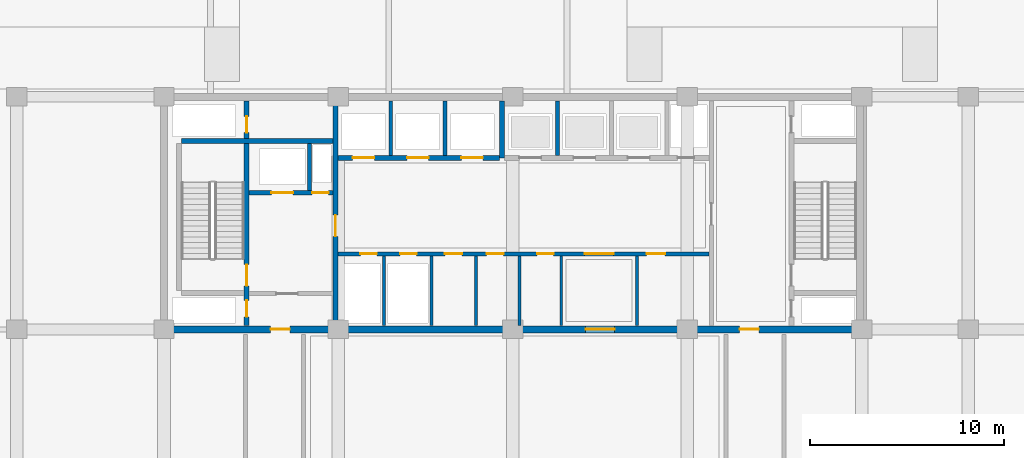
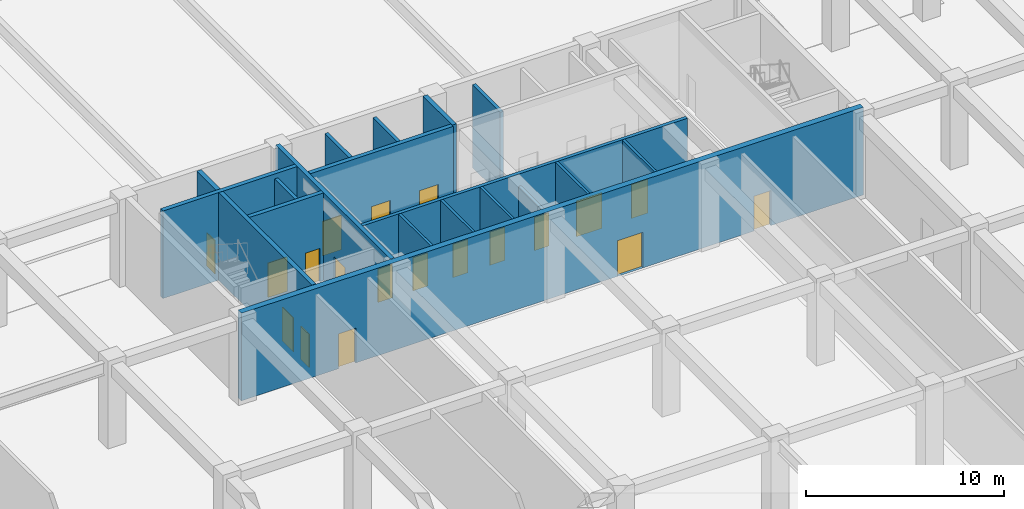
# One storey, part 21 of 46: 19 doors, 18 walls, 19 openings.
"""IFC4 building model written with IfcOpenShell, lengths in metres."""

from ifc_helpers import new_model, si_unit, direction, frame, frame_2d, origin, place, context, subcontext, project, spatial, rectangle, extrude, material, layer, layer_set, type_object, element, fill, save


model = new_model("IFC4")

# Units and contexts
model_context = context("Model", 3, precision=1e-05, world=origin(), true_north=direction((0.0, 1.0)))
body_context = subcontext(model_context, "Body", "Model", "MODEL_VIEW")
ifc_project = project(units=[si_unit("LENGTHUNIT", "METRE"), si_unit("AREAUNIT", "SQUARE_METRE"), si_unit("VOLUMEUNIT", "CUBIC_METRE"), si_unit("PLANEANGLEUNIT", "RADIAN"), si_unit("MASSUNIT", "GRAM", prefix="KILO")], contexts=[model_context])

# Site, building, storey
site_placement = place(None, origin())
site = spatial("IfcSite", under=ifc_project, at=site_placement, CompositionType="ELEMENT")
building_placement = place(site_placement, origin())
building = spatial("IfcBuilding", under=site, at=building_placement, Name="Korimba Cascade Residences", CompositionType="ELEMENT")
storey_placement = place(building_placement, origin())
storey = spatial("IfcBuildingStorey", under=building, at=storey_placement, Name="L00", CompositionType="ELEMENT", Elevation=0.0)

# Wall, openings, doors
ifc_material_1 = material(Name="Concrete C65/80", Category="concrete")
ifc_layer_1 = layer(ifc_material_1, 0.35009765625)
ifc_layer_set_1 = layer_set([ifc_layer_1], Name="Concrete C65/80")
wall_type_1 = type_object("IfcWallType", Name="WAL-CORE-350", PredefinedType="SHEAR", material=ifc_layer_set_1)
wall_1_placement = place(storey_placement, frame((81.925048828125, 18.39990234375, 0.0), z_axis=(0.0, 0.0, 1.0), x_axis=(1.0, 0.0, 0.0)))
wall_1 = element("IfcWall", 1, at=wall_1_placement, inside=storey, type_object=wall_type_1, Name="L00 Core Shear Wall CW-L00-T2-S", PredefinedType="SHEAR", context=body_context, shape_type="SweptSolid", body=[
    extrude(rectangle(XDim=36.264892578125, YDim=0.35009765625, at=frame_2d((18.13232421875, 0.0))), origin(), (0.0, 0.0, 1.0), 5.39990234375),
])
opening_1_placement = place(wall_1_placement, frame((5.675048828125, 0.0, 0.0)))
opening_1 = element("IfcOpeningElement", 2, at=opening_1_placement, cuts=wall_1, Name="Opening D-FD5", PredefinedType="OPENING", context=body_context, shape_type="SweptSolid", body=[
    extrude(rectangle(XDim=1.0, YDim=2.14990234375, at=frame_2d((0.5, 1.074951171875))), frame((0.0, 0.18505859375, 0.0), z_axis=(0.0, -1.0, 0.0), x_axis=(1.0, 0.0, 0.0)), (0.0, 0.0, 1.0), 0.3701171875),
])
opening_2_placement = place(wall_1_placement, frame((21.925048828125, 0.0, 0.0)))
opening_2 = element("IfcOpeningElement", 3, at=opening_2_placement, cuts=wall_1, Name="Opening D-FD8", PredefinedType="OPENING", context=body_context, shape_type="SweptSolid", body=[
    extrude(rectangle(XDim=1.5, YDim=2.199951171875, at=frame_2d((0.75, 1.10009765625))), frame((0.0, 0.18505859375, 0.0), z_axis=(0.0, -1.0, 0.0), x_axis=(1.0, 0.0, 0.0)), (0.0, 0.0, 1.0), 0.3701171875),
])
opening_3_placement = place(wall_1_placement, frame((29.875, 0.0, 0.0)))
opening_3 = element("IfcOpeningElement", 4, at=opening_3_placement, cuts=wall_1, Name="Opening D-FD5", PredefinedType="OPENING", context=body_context, shape_type="SweptSolid", body=[
    extrude(rectangle(XDim=1.0, YDim=2.14990234375, at=frame_2d((0.5, 1.074951171875))), frame((0.0, 0.18505859375, 0.0), z_axis=(0.0, -1.0, 0.0), x_axis=(1.0, 0.0, 0.0)), (0.0, 0.0, 1.0), 0.3701171875),
])
ifc_material_2 = material(Name="Fire-Rated Acoustic Timber Vestibule Door", Category="wood")
door_type_1 = type_object("IfcDoorType", Name="DR-FD90-1000", OperationType="NOTDEFINED", PredefinedType="DOOR", material=ifc_material_2)
door_1_placement = place(opening_1_placement, origin())
door_1 = element("IfcDoor", 5, at=door_1_placement, inside=storey, type_object=door_type_1, Name="L00 T2 West Core Vestibule Fire Door", OperationType="SINGLE_SWING_RIGHT", OverallHeight=2.14990234375, OverallWidth=1.0, PredefinedType="DOOR", context=body_context, shape_type="SweptSolid", body=[
    extrude(rectangle(XDim=1.0, YDim=2.14990234375, at=frame_2d((0.5, 1.074951171875))), frame((0.0, 0.02490234375, 0.0), z_axis=(0.0, -1.0, 0.0), x_axis=(1.0, 0.0, 0.0)), (0.0, 0.0, 1.0), 0.050048828125),
])
fill(opening_1, door_1)
door_2_placement = place(opening_3_placement, origin())
door_2 = element("IfcDoor", 6, at=door_2_placement, inside=storey, type_object=door_type_1, Name="L00 T2 East Stair Vestibule Fire Door", OperationType="SINGLE_SWING_LEFT", OverallHeight=2.14990234375, OverallWidth=1.0, PredefinedType="DOOR", context=body_context, shape_type="SweptSolid", body=[
    extrude(rectangle(XDim=1.0, YDim=2.14990234375, at=frame_2d((0.5, 1.074951171875))), frame((0.0, 0.02490234375, 0.0), z_axis=(0.0, -1.0, 0.0), x_axis=(1.0, 0.0, 0.0)), (0.0, 0.0, 1.0), 0.050048828125),
])
fill(opening_3, door_2)
ifc_material_3 = material(Name="Fire-Rated Glazed Lift Lobby Double Door", Category="glass")
door_type_2 = type_object("IfcDoorType", Name="DR-FD90-1500", OperationType="NOTDEFINED", PredefinedType="DOOR", material=ifc_material_3)
door_3_placement = place(opening_2_placement, origin())
door_3 = element("IfcDoor", 7, at=door_3_placement, inside=storey, type_object=door_type_2, Name="L00 T2 Lift Lobby Fire Door", OperationType="DOUBLE_DOOR_SINGLE_SWING", OverallHeight=2.199951171875, OverallWidth=1.5, PredefinedType="DOOR", context=body_context, shape_type="SweptSolid", body=[
    extrude(rectangle(XDim=1.5, YDim=2.199951171875, at=frame_2d((0.75, 1.10009765625))), frame((0.0, 0.02490234375, 0.0), z_axis=(0.0, -1.0, 0.0), x_axis=(1.0, 0.0, 0.0)), (0.0, 0.0, 1.0), 0.050048828125),
])
fill(opening_2, door_3)

# Walls
ifc_material_4 = material(Name="Insulated Acoustic Stud Partition", Category="gypsum")
ifc_layer_2 = layer(ifc_material_4, 0.14990234375)
ifc_layer_set_2 = layer_set([ifc_layer_2], Name="Insulated Acoustic Stud Partition")
wall_type_2 = type_object("IfcWallType", Name="WAL-PART-150", PredefinedType="PARTITIONING", material=ifc_layer_set_2)
for number, where, z_axis, x_axis, name in (
    (8, (93.449951171875, 18.60009765625, 0.0), (0.0, 0.0, 1.0), (0.0, 1.0, 0.0), "L00 Partition Wall CW-L00-T2-ERDIV"),
    (9, (95.89990234375, 18.60009765625, 0.0), (0.0, 0.0, 1.0), (0.0, 1.0, 0.0), "L00 Partition Wall CW-L00-T2-PRDIV"),
    (10, (98.199951171875, 18.60009765625, 0.0), (0.0, 0.0, 1.0), (0.0, 1.0, 0.0), "L00 Partition Wall CW-L00-T2-CA1W1"),
):
    element("IfcWall", number, at=place(storey_placement, frame(where, z_axis=z_axis, x_axis=x_axis)), inside=storey, type_object=wall_type_2, Name=name, PredefinedType="PARTITIONING", context=body_context, shape_type="SweptSolid", body=[
        extrude(rectangle(XDim=3.599853515625, YDim=0.14990234375, at=frame_2d((1.7998046875, 0.0))), origin(), (0.0, 0.0, 1.0), 5.10009765625),
    ])
wall_2_placement = place(storey_placement, frame((100.449951171875, 18.60009765625, 0.0), z_axis=(0.0, 0.0, 1.0), x_axis=(0.0, 1.0, 0.0)))
element("IfcWall", 11, at=wall_2_placement, inside=storey, type_object=wall_type_2, Name="L00 Partition Wall CW-L00-T2-CA1W2", PredefinedType="PARTITIONING", context=body_context, shape_type="SweptSolid", body=[
    extrude(rectangle(XDim=3.599853515625, YDim=0.14990234375, at=frame_2d((1.7998046875, 0.0))), origin(), (0.0, 0.0, 1.0), 4.35009765625),
])
for number, where, z_axis, x_axis, name in (
    (12, (102.60009765625, 18.60009765625, 0.0), (0.0, 0.0, 1.0), (0.0, 1.0, 0.0), "L00 Partition Wall CW-L00-T2-THW"),
    (13, (106.5, 18.60009765625, 0.0), (0.0, 0.0, 1.0), (0.0, 1.0, 0.0), "L00 Partition Wall CW-L00-T2-THE"),
):
    element("IfcWall", number, at=place(storey_placement, frame(where, z_axis=z_axis, x_axis=x_axis)), inside=storey, type_object=wall_type_2, Name=name, PredefinedType="PARTITIONING", context=body_context, shape_type="SweptSolid", body=[
        extrude(rectangle(XDim=3.599853515625, YDim=0.14990234375, at=frame_2d((1.7998046875, 0.0))), origin(), (0.0, 0.0, 1.0), 5.10009765625),
    ])
ifc_material_5 = material(Name="Concrete C40/50", Category="concrete")
ifc_layer_3 = layer(ifc_material_5, 0.199951171875)
ifc_layer_set_3 = layer_set([ifc_layer_3], Name="Concrete C40/50")
wall_type_3 = type_object("IfcWallType", Name="WAL-PART-200", PredefinedType="PARTITIONING", material=ifc_layer_set_3)
wall_3_placement = place(storey_placement, frame((89.60009765625, 25.580078125, 0.0), z_axis=(0.0, 0.0, 1.0), x_axis=(0.0, 1.0, 0.0)))
element("IfcWall", 14, at=wall_3_placement, inside=storey, type_object=wall_type_3, Name="L00 Partition Wall CW-L00-T2-FFLDIV", PredefinedType="PARTITIONING", context=body_context, shape_type="SweptSolid", body=[
    extrude(rectangle(XDim=2.419921875, YDim=0.199951171875, at=frame_2d((1.2099609375, 0.0))), origin(), (0.0, 0.0, 1.0), 5.10009765625),
])
for number, where, z_axis, x_axis, name in (
    (15, (93.800048828125, 27.3798828125, 0.0), (0.0, 0.0, 1.0), (0.0, 1.0, 0.0), "L00 Partition Wall CW-L00-T2-B1D1"),
    (16, (96.60009765625, 27.3798828125, 0.0), (0.0, 0.0, 1.0), (0.0, 1.0, 0.0), "L00 Partition Wall CW-L00-T2-B1D2"),
    (17, (102.39990234375, 27.3798828125, 0.0), (0.0, 0.0, 1.0), (0.0, 1.0, 0.0), "L00 Partition Wall CW-L00-T2-B2D1"),
):
    element("IfcWall", number, at=place(storey_placement, frame(where, z_axis=z_axis, x_axis=x_axis)), inside=storey, type_object=wall_type_3, Name=name, PredefinedType="PARTITIONING", context=body_context, shape_type="SweptSolid", body=[
        extrude(rectangle(XDim=2.820068359375, YDim=0.199951171875, at=frame_2d((1.41015625, 0.0))), origin(), (0.0, 0.0, 1.0), 5.10009765625),
    ])

# Wall, openings, doors
wall_4_placement = place(storey_placement, frame((91.080078125, 22.300048828125, 0.0), z_axis=(0.0, 0.0, 1.0), x_axis=(1.0, 0.0, 0.0)))
wall_4 = element("IfcWall", 18, at=wall_4_placement, inside=storey, type_object=wall_type_3, Name="L00 Partition Wall CW-L00-T2-SRVROW", PredefinedType="PARTITIONING", context=body_context, shape_type="SweptSolid", body=[
    extrude(rectangle(XDim=19.139892578125, YDim=0.199951171875, at=frame_2d((9.56982421875, 0.0))), origin(), (0.0, 0.0, 1.0), 5.10009765625),
])
opening_4_placement = place(wall_4_placement, frame((1.14990234375, 0.0, 0.0)))
opening_4 = element("IfcOpeningElement", 19, at=opening_4_placement, cuts=wall_4, Name="Opening D-RS1", PredefinedType="OPENING", context=body_context, shape_type="SweptSolid", body=[
    extrude(rectangle(XDim=0.85009765625, YDim=2.050048828125, at=frame_2d((0.425048828125, 1.02490234375))), frame((0.0, 0.10986328125, 0.0), z_axis=(0.0, -1.0, 0.0), x_axis=(1.0, 0.0, 0.0)), (0.0, 0.0, 1.0), 0.219970703125),
])
opening_5_placement = place(wall_4_placement, frame((3.199951171875, 0.0, 0.0)))
opening_5 = element("IfcOpeningElement", 20, at=opening_5_placement, cuts=wall_4, Name="Opening D-RS1", PredefinedType="OPENING", context=body_context, shape_type="SweptSolid", body=[
    extrude(rectangle(XDim=0.85009765625, YDim=2.050048828125, at=frame_2d((0.425048828125, 1.02490234375))), frame((0.0, 0.10986328125, 0.0), z_axis=(0.0, -1.0, 0.0), x_axis=(1.0, 0.0, 0.0)), (0.0, 0.0, 1.0), 0.219970703125),
])
opening_6_placement = place(wall_4_placement, frame((12.719970703125, 0.0, 0.0)))
opening_6 = element("IfcOpeningElement", 21, at=opening_6_placement, cuts=wall_4, Name="Opening D-FD8", PredefinedType="OPENING", context=body_context, shape_type="SweptSolid", body=[
    extrude(rectangle(XDim=1.5, YDim=2.199951171875, at=frame_2d((0.75, 1.10009765625))), frame((0.0, 0.10986328125, 0.0), z_axis=(0.0, -1.0, 0.0), x_axis=(1.0, 0.0, 0.0)), (0.0, 0.0, 1.0), 0.219970703125),
])
opening_7_placement = place(wall_4_placement, frame((5.52001953125, 0.0, 0.0)))
opening_7 = element("IfcOpeningElement", 22, at=opening_7_placement, cuts=wall_4, Name="Opening D-IN2", PredefinedType="OPENING", context=body_context, shape_type="SweptSolid", body=[
    extrude(rectangle(XDim=0.8798828125, YDim=2.06005859375, at=frame_2d((0.43994140625, 1.030029296875))), frame((0.0, 0.10986328125, 0.0), z_axis=(0.0, -1.0, 0.0), x_axis=(1.0, 0.0, 0.0)), (0.0, 0.0, 1.0), 0.219970703125),
])
opening_8_placement = place(wall_4_placement, frame((7.669921875, 0.0, 0.0)))
opening_8 = element("IfcOpeningElement", 23, at=opening_8_placement, cuts=wall_4, Name="Opening D-IN2", PredefinedType="OPENING", context=body_context, shape_type="SweptSolid", body=[
    extrude(rectangle(XDim=0.8798828125, YDim=2.06005859375, at=frame_2d((0.43994140625, 1.030029296875))), frame((0.0, 0.10986328125, 0.0), z_axis=(0.0, -1.0, 0.0), x_axis=(1.0, 0.0, 0.0)), (0.0, 0.0, 1.0), 0.219970703125),
])
opening_9_placement = place(wall_4_placement, frame((10.27001953125, 0.0, 0.0)))
opening_9 = element("IfcOpeningElement", 24, at=opening_9_placement, cuts=wall_4, Name="Opening D-RS1", PredefinedType="OPENING", context=body_context, shape_type="SweptSolid", body=[
    extrude(rectangle(XDim=0.85009765625, YDim=2.050048828125, at=frame_2d((0.425048828125, 1.02490234375))), frame((0.0, 0.10986328125, 0.0), z_axis=(0.0, -1.0, 0.0), x_axis=(1.0, 0.0, 0.0)), (0.0, 0.0, 1.0), 0.219970703125),
])
opening_10_placement = place(wall_4_placement, frame((15.919921875, 0.0, 0.0)))
opening_10 = element("IfcOpeningElement", 25, at=opening_10_placement, cuts=wall_4, Name="Opening D-AC1", PredefinedType="OPENING", context=body_context, shape_type="SweptSolid", body=[
    extrude(rectangle(XDim=0.9599609375, YDim=2.10009765625, at=frame_2d((0.47998046875, 1.050048828125))), frame((0.0, 0.10986328125, 0.0), z_axis=(0.0, -1.0, 0.0), x_axis=(1.0, 0.0, 0.0)), (0.0, 0.0, 1.0), 0.219970703125),
])
ifc_material_6 = material(Name="Accessible Acoustic Timber WC Door", Category="wood")
door_type_3 = type_object("IfcDoorType", Name="DR-ACC-950", OperationType="NOTDEFINED", PredefinedType="DOOR", material=ifc_material_6)
door_4_placement = place(opening_10_placement, origin())
door_4 = element("IfcDoor", 26, at=door_4_placement, inside=storey, type_object=door_type_3, Name="L00 T2 Accessible Staff WC Door", OperationType="SINGLE_SWING_RIGHT", OverallHeight=2.10009765625, OverallWidth=0.9599609375, PredefinedType="DOOR", context=body_context, shape_type="SweptSolid", body=[
    extrude(rectangle(XDim=0.9599609375, YDim=2.10009765625, at=frame_2d((0.47998046875, 1.050048828125))), frame((0.0, 0.02490234375, 0.0), z_axis=(0.0, -1.0, 0.0), x_axis=(1.0, 0.0, 0.0)), (0.0, 0.0, 1.0), 0.050048828125),
])
fill(opening_10, door_4)
ifc_material_7 = material(Name="Fire-Rated Steel Riser Access Door", Category="steel")
door_type_4 = type_object("IfcDoorType", Name="DR-FD60-850", OperationType="NOTDEFINED", PredefinedType="DOOR", material=ifc_material_7)
door_5_placement = place(opening_4_placement, origin())
door_5 = element("IfcDoor", 27, at=door_5_placement, inside=storey, type_object=door_type_4, Name="L00 T2 Electrical Riser Door", OperationType="SINGLE_SWING_LEFT", OverallHeight=2.050048828125, OverallWidth=0.85009765625, PredefinedType="DOOR", context=body_context, shape_type="SweptSolid", body=[
    extrude(rectangle(XDim=0.85009765625, YDim=2.050048828125, at=frame_2d((0.425048828125, 1.02490234375))), frame((0.0, 0.02490234375, 0.0), z_axis=(0.0, -1.0, 0.0), x_axis=(1.0, 0.0, 0.0)), (0.0, 0.0, 1.0), 0.050048828125),
])
fill(opening_4, door_5)
door_6_placement = place(opening_5_placement, origin())
door_6 = element("IfcDoor", 28, at=door_6_placement, inside=storey, type_object=door_type_4, Name="L00 T2 Plumbing Riser Door", OperationType="SINGLE_SWING_RIGHT", OverallHeight=2.050048828125, OverallWidth=0.85009765625, PredefinedType="DOOR", context=body_context, shape_type="SweptSolid", body=[
    extrude(rectangle(XDim=0.85009765625, YDim=2.050048828125, at=frame_2d((0.425048828125, 1.02490234375))), frame((0.0, 0.02490234375, 0.0), z_axis=(0.0, -1.0, 0.0), x_axis=(1.0, 0.0, 0.0)), (0.0, 0.0, 1.0), 0.050048828125),
])
fill(opening_5, door_6)
door_7_placement = place(opening_9_placement, origin())
door_7 = element("IfcDoor", 29, at=door_7_placement, inside=storey, type_object=door_type_4, Name="L00 T2 IT Room Door", OperationType="SINGLE_SWING_LEFT", OverallHeight=2.050048828125, OverallWidth=0.85009765625, PredefinedType="DOOR", context=body_context, shape_type="SweptSolid", body=[
    extrude(rectangle(XDim=0.85009765625, YDim=2.050048828125, at=frame_2d((0.425048828125, 1.02490234375))), frame((0.0, 0.02490234375, 0.0), z_axis=(0.0, -1.0, 0.0), x_axis=(1.0, 0.0, 0.0)), (0.0, 0.0, 1.0), 0.050048828125),
])
fill(opening_9, door_7)
door_8_placement = place(opening_6_placement, origin())
door_8 = element("IfcDoor", 30, at=door_8_placement, inside=storey, type_object=door_type_2, Name="L00 T2 Lift Lobby Foyer Door", OperationType="DOUBLE_DOOR_SINGLE_SWING", OverallHeight=2.199951171875, OverallWidth=1.5, PredefinedType="DOOR", context=body_context, shape_type="SweptSolid", body=[
    extrude(rectangle(XDim=1.5, YDim=2.199951171875, at=frame_2d((0.75, 1.10009765625))), frame((0.0, 0.02490234375, 0.0), z_axis=(0.0, -1.0, 0.0), x_axis=(1.0, 0.0, 0.0)), (0.0, 0.0, 1.0), 0.050048828125),
])
fill(opening_6, door_8)
ifc_material_8 = material(Name="Acoustic Timber Bedroom Door", Category="wood")
door_type_5 = type_object("IfcDoorType", Name="DR-INT-880", OperationType="NOTDEFINED", PredefinedType="DOOR", material=ifc_material_8)
door_9_placement = place(opening_7_placement, origin())
door_9 = element("IfcDoor", 31, at=door_9_placement, inside=storey, type_object=door_type_5, Name="L00 T2 Cleaners Door", OperationType="SINGLE_SWING_LEFT", OverallHeight=2.06005859375, OverallWidth=0.8798828125, PredefinedType="DOOR", context=body_context, shape_type="SweptSolid", body=[
    extrude(rectangle(XDim=0.8798828125, YDim=2.06005859375, at=frame_2d((0.43994140625, 1.030029296875))), frame((0.0, 0.02490234375, 0.0), z_axis=(0.0, -1.0, 0.0), x_axis=(1.0, 0.0, 0.0)), (0.0, 0.0, 1.0), 0.050048828125),
])
fill(opening_7, door_9)
door_10_placement = place(opening_8_placement, origin())
door_10 = element("IfcDoor", 32, at=door_10_placement, inside=storey, type_object=door_type_5, Name="L00 T2 Pantry Door", OperationType="SINGLE_SWING_RIGHT", OverallHeight=2.06005859375, OverallWidth=0.8798828125, PredefinedType="DOOR", context=body_context, shape_type="SweptSolid", body=[
    extrude(rectangle(XDim=0.8798828125, YDim=2.06005859375, at=frame_2d((0.43994140625, 1.030029296875))), frame((0.0, 0.02490234375, 0.0), z_axis=(0.0, -1.0, 0.0), x_axis=(1.0, 0.0, 0.0)), (0.0, 0.0, 1.0), 0.050048828125),
])
fill(opening_8, door_10)

ifc_material_9 = material(Name="Concrete C50/60", Category="concrete")
ifc_layer_4 = layer(ifc_material_9, 0.25)
ifc_layer_set_4 = layer_set([ifc_layer_4], Name="Concrete C50/60")
wall_type_4 = type_object("IfcWallType", Name="WAL-SHAFT-250", PredefinedType="SHEAR", material=ifc_layer_set_4)
wall_5_placement = place(storey_placement, frame((86.364990234375, 18.60009765625, 0.0), z_axis=(0.0, 0.0, 1.0), x_axis=(0.0, 1.0, 0.0)))
wall_5 = element("IfcWall", 33, at=wall_5_placement, inside=storey, type_object=wall_type_4, Name="L00 Core Shear Wall CW-L00-T2-STE1E", PredefinedType="SHEAR", context=body_context, shape_type="SweptSolid", body=[
    extrude(rectangle(XDim=11.599853515625, YDim=0.25, at=frame_2d((5.7998046875, 0.0))), origin(), (0.0, 0.0, 1.0), 5.39990234375),
])
opening_11_placement = place(wall_5_placement, frame((0.449951171875, 0.0, 0.0)))
opening_11 = element("IfcOpeningElement", 34, at=opening_11_placement, cuts=wall_5, Name="Opening D-RS1", PredefinedType="OPENING", context=body_context, shape_type="SweptSolid", body=[
    extrude(rectangle(XDim=0.85009765625, YDim=2.050048828125, at=frame_2d((0.425048828125, 1.02490234375))), frame((0.0, 0.135009765625, 0.0), z_axis=(0.0, -1.0, 0.0), x_axis=(1.0, 0.0, 0.0)), (0.0, 0.0, 1.0), 0.27001953125),
])
opening_12_placement = place(wall_5_placement, frame((2.050048828125, 0.0, 0.0)))
opening_12 = element("IfcOpeningElement", 35, at=opening_12_placement, cuts=wall_5, Name="Opening D-FD1", PredefinedType="OPENING", context=body_context, shape_type="SweptSolid", body=[
    extrude(rectangle(XDim=1.10009765625, YDim=2.10009765625, at=frame_2d((0.550048828125, 1.050048828125))), frame((0.0, 0.135009765625, 0.0), z_axis=(0.0, -1.0, 0.0), x_axis=(1.0, 0.0, 0.0)), (0.0, 0.0, 1.0), 0.27001953125),
])
opening_13_placement = place(wall_5_placement, frame((9.949951171875, 0.0, 0.0)))
opening_13 = element("IfcOpeningElement", 36, at=opening_13_placement, cuts=wall_5, Name="Opening D-RS1", PredefinedType="OPENING", context=body_context, shape_type="SweptSolid", body=[
    extrude(rectangle(XDim=0.85009765625, YDim=2.050048828125, at=frame_2d((0.425048828125, 1.02490234375))), frame((0.0, 0.135009765625, 0.0), z_axis=(0.0, -1.0, 0.0), x_axis=(1.0, 0.0, 0.0)), (0.0, 0.0, 1.0), 0.27001953125),
])
ifc_material_10 = material(Name="Fire-Rated Steel Core Door", Category="steel")
door_type_6 = type_object("IfcDoorType", Name="DR-FD120-1100", OperationType="NOTDEFINED", PredefinedType="DOOR", material=ifc_material_10)
door_11_placement = place(opening_12_placement, origin())
door_11 = element("IfcDoor", 37, at=door_11_placement, inside=storey, type_object=door_type_6, Name="L00 Fire Stair ST-E1 Door", OperationType="SINGLE_SWING_LEFT", OverallHeight=2.10009765625, OverallWidth=1.10009765625, PredefinedType="DOOR", context=body_context, shape_type="SweptSolid", body=[
    extrude(rectangle(XDim=1.10009765625, YDim=2.10009765625, at=frame_2d((0.550048828125, 1.050048828125))), frame((0.0, 0.02490234375, 0.0), z_axis=(0.0, -1.0, 0.0), x_axis=(1.0, 0.0, 0.0)), (0.0, 0.0, 1.0), 0.050048828125),
])
fill(opening_12, door_11)
door_12_placement = place(opening_11_placement, origin())
door_12 = element("IfcDoor", 38, at=door_12_placement, inside=storey, type_object=door_type_4, Name="L00 T2 Hydrant Riser Door", OperationType="SINGLE_SWING_RIGHT", OverallHeight=2.050048828125, OverallWidth=0.85009765625, PredefinedType="DOOR", context=body_context, shape_type="SweptSolid", body=[
    extrude(rectangle(XDim=0.85009765625, YDim=2.050048828125, at=frame_2d((0.425048828125, 1.02490234375))), frame((0.0, 0.02490234375, 0.0), z_axis=(0.0, -1.0, 0.0), x_axis=(1.0, 0.0, 0.0)), (0.0, 0.0, 1.0), 0.050048828125),
])
fill(opening_11, door_12)
door_13_placement = place(opening_13_placement, origin())
door_13 = element("IfcDoor", 39, at=door_13_placement, inside=storey, type_object=door_type_4, Name="L00 T2 Smoke Shaft Door", OperationType="SINGLE_SWING_RIGHT", OverallHeight=2.050048828125, OverallWidth=0.85009765625, PredefinedType="DOOR", context=body_context, shape_type="SweptSolid", body=[
    extrude(rectangle(XDim=0.85009765625, YDim=2.050048828125, at=frame_2d((0.425048828125, 1.02490234375))), frame((0.0, 0.02490234375, 0.0), z_axis=(0.0, -1.0, 0.0), x_axis=(1.0, 0.0, 0.0)), (0.0, 0.0, 1.0), 0.050048828125),
])
fill(opening_13, door_13)

# Wall
wall_6_placement = place(storey_placement, frame((83.0, 28.125, 0.0), z_axis=(0.0, 0.0, 1.0), x_axis=(1.0, 0.0, 0.0)))
element("IfcWall", 40, at=wall_6_placement, inside=storey, type_object=wall_type_4, Name="L00 Core Shear Wall CW-L00-T2-STE1N", PredefinedType="SHEAR", context=body_context, shape_type="SweptSolid", body=[
    extrude(rectangle(XDim=7.820068359375, YDim=0.25, at=frame_2d((3.91015625, 0.0))), origin(), (0.0, 0.0, 1.0), 5.39990234375),
])

# Wall, openings, doors
wall_7_placement = place(storey_placement, frame((86.5, 25.449951171875, 0.0), z_axis=(0.0, 0.0, 1.0), x_axis=(1.0, 0.0, 0.0)))
wall_7 = element("IfcWall", 41, at=wall_7_placement, inside=storey, type_object=wall_type_4, Name="L00 Core Shear Wall CW-L00-T2-FFLN", PredefinedType="SHEAR", context=body_context, shape_type="SweptSolid", body=[
    extrude(rectangle(XDim=4.320068359375, YDim=0.25, at=frame_2d((2.16015625, 0.0))), origin(), (0.0, 0.0, 1.0), 5.39990234375),
])
opening_14_placement = place(wall_7_placement, frame((1.139892578125, 0.0, 0.0)))
opening_14 = element("IfcOpeningElement", 42, at=opening_14_placement, cuts=wall_7, Name="Opening LD-01", PredefinedType="OPENING", context=body_context, shape_type="SweptSolid", body=[
    extrude(rectangle(XDim=1.1201171875, YDim=2.1201171875, at=frame_2d((0.56005859375, 1.06005859375))), frame((0.0, 0.135009765625, 0.0), z_axis=(0.0, -1.0, 0.0), x_axis=(1.0, 0.0, 0.0)), (0.0, 0.0, 1.0), 0.27001953125),
])
opening_15_placement = place(wall_7_placement, frame((3.25, 0.0, 0.0)))
opening_15 = element("IfcOpeningElement", 43, at=opening_15_placement, cuts=wall_7, Name="Opening D-RS1", PredefinedType="OPENING", context=body_context, shape_type="SweptSolid", body=[
    extrude(rectangle(XDim=0.85009765625, YDim=2.050048828125, at=frame_2d((0.425048828125, 1.02490234375))), frame((0.0, 0.135009765625, 0.0), z_axis=(0.0, -1.0, 0.0), x_axis=(1.0, 0.0, 0.0)), (0.0, 0.0, 1.0), 0.27001953125),
])
door_14_placement = place(opening_15_placement, origin())
door_14 = element("IfcDoor", 44, at=door_14_placement, inside=storey, type_object=door_type_4, Name="L00 T2 Pressurisation Riser Door", OperationType="SINGLE_SWING_LEFT", OverallHeight=2.050048828125, OverallWidth=0.85009765625, PredefinedType="DOOR", context=body_context, shape_type="SweptSolid", body=[
    extrude(rectangle(XDim=0.85009765625, YDim=2.050048828125, at=frame_2d((0.425048828125, 1.02490234375))), frame((0.0, 0.02490234375, 0.0), z_axis=(0.0, -1.0, 0.0), x_axis=(1.0, 0.0, 0.0)), (0.0, 0.0, 1.0), 0.050048828125),
])
fill(opening_15, door_14)
ifc_material_11 = material(Name="Stainless Steel Lift Landing Sliding Door", Category="steel")
door_type_7 = type_object("IfcDoorType", Name="DR-LIFT-1100", OperationType="NOTDEFINED", PredefinedType="DOOR", material=ifc_material_11)
door_15_placement = place(opening_14_placement, origin())
door_15 = element("IfcDoor", 45, at=door_15_placement, inside=storey, type_object=door_type_7, Name="L00 Firefighting Lift Landing Door FFL-E1", OperationType="SLIDING_TO_RIGHT", OverallHeight=2.1201171875, OverallWidth=1.1201171875, PredefinedType="DOOR", context=body_context, shape_type="SweptSolid", body=[
    extrude(rectangle(XDim=1.1201171875, YDim=2.1201171875, at=frame_2d((0.56005859375, 1.06005859375))), frame((0.0, 0.02490234375, 0.0), z_axis=(0.0, -1.0, 0.0), x_axis=(1.0, 0.0, 0.0)), (0.0, 0.0, 1.0), 0.050048828125),
])
fill(opening_14, door_15)

# Wall, opening, door
wall_8_placement = place(storey_placement, frame((90.949951171875, 18.60009765625, 0.0), z_axis=(0.0, 0.0, 1.0), x_axis=(0.0, 1.0, 0.0)))
wall_8 = element("IfcWall", 46, at=wall_8_placement, inside=storey, type_object=wall_type_4, Name="L00 Core Shear Wall CW-L00-T2-FFLE", PredefinedType="SHEAR", context=body_context, shape_type="SweptSolid", body=[
    extrude(rectangle(XDim=11.599853515625, YDim=0.25, at=frame_2d((5.7998046875, 0.0))), origin(), (0.0, 0.0, 1.0), 5.39990234375),
])
opening_16_placement = place(wall_8_placement, frame((4.60009765625, 0.0, 0.0)))
opening_16 = element("IfcOpeningElement", 47, at=opening_16_placement, cuts=wall_8, Name="Opening D-FD1", PredefinedType="OPENING", context=body_context, shape_type="SweptSolid", body=[
    extrude(rectangle(XDim=1.10009765625, YDim=2.10009765625, at=frame_2d((0.550048828125, 1.050048828125))), frame((0.0, 0.135009765625, 0.0), z_axis=(0.0, -1.0, 0.0), x_axis=(1.0, 0.0, 0.0)), (0.0, 0.0, 1.0), 0.27001953125),
])
door_16_placement = place(opening_16_placement, origin())
door_16 = element("IfcDoor", 48, at=door_16_placement, inside=storey, type_object=door_type_6, Name="L00 T2 Firefighting Lobby to Lift Lobby Door", OperationType="SINGLE_SWING_LEFT", OverallHeight=2.10009765625, OverallWidth=1.10009765625, PredefinedType="DOOR", context=body_context, shape_type="SweptSolid", body=[
    extrude(rectangle(XDim=1.10009765625, YDim=2.10009765625, at=frame_2d((0.550048828125, 1.050048828125))), frame((0.0, 0.02490234375, 0.0), z_axis=(0.0, -1.0, 0.0), x_axis=(1.0, 0.0, 0.0)), (0.0, 0.0, 1.0), 0.050048828125),
])
fill(opening_16, door_16)

# Wall, openings, doors
wall_9_placement = place(storey_placement, frame((91.080078125, 27.25, 0.0), z_axis=(0.0, 0.0, 1.0), x_axis=(1.0, 0.0, 0.0)))
wall_9 = element("IfcWall", 49, at=wall_9_placement, inside=storey, type_object=wall_type_4, Name="L00 Core Shear Wall CW-L00-T2-B1S", PredefinedType="SHEAR", context=body_context, shape_type="SweptSolid", body=[
    extrude(rectangle(XDim=8.33984375, YDim=0.25, at=frame_2d((4.169921875, 0.0))), origin(), (0.0, 0.0, 1.0), 5.39990234375),
])
opening_17_placement = place(wall_9_placement, frame((0.760009765625, 0.0, 0.0)))
opening_17 = element("IfcOpeningElement", 50, at=opening_17_placement, cuts=wall_9, Name="Opening LD-01", PredefinedType="OPENING", context=body_context, shape_type="SweptSolid", body=[
    extrude(rectangle(XDim=1.1201171875, YDim=2.1201171875, at=frame_2d((0.56005859375, 1.06005859375))), frame((0.0, 0.135009765625, 0.0), z_axis=(0.0, -1.0, 0.0), x_axis=(1.0, 0.0, 0.0)), (0.0, 0.0, 1.0), 0.27001953125),
])
opening_18_placement = place(wall_9_placement, frame((3.56005859375, 0.0, 0.0)))
opening_18 = element("IfcOpeningElement", 51, at=opening_18_placement, cuts=wall_9, Name="Opening LD-01", PredefinedType="OPENING", context=body_context, shape_type="SweptSolid", body=[
    extrude(rectangle(XDim=1.1201171875, YDim=2.1201171875, at=frame_2d((0.56005859375, 1.06005859375))), frame((0.0, 0.135009765625, 0.0), z_axis=(0.0, -1.0, 0.0), x_axis=(1.0, 0.0, 0.0)), (0.0, 0.0, 1.0), 0.27001953125),
])
opening_19_placement = place(wall_9_placement, frame((6.360107421875, 0.0, 0.0)))
opening_19 = element("IfcOpeningElement", 52, at=opening_19_placement, cuts=wall_9, Name="Opening LD-01", PredefinedType="OPENING", context=body_context, shape_type="SweptSolid", body=[
    extrude(rectangle(XDim=1.1201171875, YDim=2.1201171875, at=frame_2d((0.56005859375, 1.06005859375))), frame((0.0, 0.135009765625, 0.0), z_axis=(0.0, -1.0, 0.0), x_axis=(1.0, 0.0, 0.0)), (0.0, 0.0, 1.0), 0.27001953125),
])
door_17_placement = place(opening_17_placement, origin())
door_17 = element("IfcDoor", 53, at=door_17_placement, inside=storey, type_object=door_type_7, Name="L00 Lift Landing Door PL-E1", OperationType="SLIDING_TO_LEFT", OverallHeight=2.1201171875, OverallWidth=1.1201171875, PredefinedType="DOOR", context=body_context, shape_type="SweptSolid", body=[
    extrude(rectangle(XDim=1.1201171875, YDim=2.1201171875, at=frame_2d((0.56005859375, 1.06005859375))), frame((0.0, 0.02490234375, 0.0), z_axis=(0.0, -1.0, 0.0), x_axis=(1.0, 0.0, 0.0)), (0.0, 0.0, 1.0), 0.050048828125),
])
fill(opening_17, door_17)
door_18_placement = place(opening_18_placement, origin())
door_18 = element("IfcDoor", 54, at=door_18_placement, inside=storey, type_object=door_type_7, Name="L00 Lift Landing Door PL-E2", OperationType="SLIDING_TO_LEFT", OverallHeight=2.1201171875, OverallWidth=1.1201171875, PredefinedType="DOOR", context=body_context, shape_type="SweptSolid", body=[
    extrude(rectangle(XDim=1.1201171875, YDim=2.1201171875, at=frame_2d((0.56005859375, 1.06005859375))), frame((0.0, 0.02490234375, 0.0), z_axis=(0.0, -1.0, 0.0), x_axis=(1.0, 0.0, 0.0)), (0.0, 0.0, 1.0), 0.050048828125),
])
fill(opening_18, door_18)
door_19_placement = place(opening_19_placement, origin())
door_19 = element("IfcDoor", 55, at=door_19_placement, inside=storey, type_object=door_type_7, Name="L00 Lift Landing Door PL-E3", OperationType="SLIDING_TO_LEFT", OverallHeight=2.1201171875, OverallWidth=1.1201171875, PredefinedType="DOOR", context=body_context, shape_type="SweptSolid", body=[
    extrude(rectangle(XDim=1.1201171875, YDim=2.1201171875, at=frame_2d((0.56005859375, 1.06005859375))), frame((0.0, 0.02490234375, 0.0), z_axis=(0.0, -1.0, 0.0), x_axis=(1.0, 0.0, 0.0)), (0.0, 0.0, 1.0), 0.050048828125),
])
fill(opening_19, door_19)

# Wall
wall_10_placement = place(storey_placement, frame((99.550048828125, 27.25, 0.0), z_axis=(0.0, 0.0, 1.0), x_axis=(0.0, 1.0, 0.0)))
element("IfcWall", 56, at=wall_10_placement, inside=storey, type_object=wall_type_4, Name="L00 Core Shear Wall CW-L00-T2-B12DIV", PredefinedType="SHEAR", context=body_context, shape_type="SweptSolid", body=[
    extrude(rectangle(XDim=2.949951171875, YDim=0.25, at=frame_2d((1.47509765625, 0.0))), origin(), (0.0, 0.0, 1.0), 5.39990234375),
])

save(model, "model.ifc")
